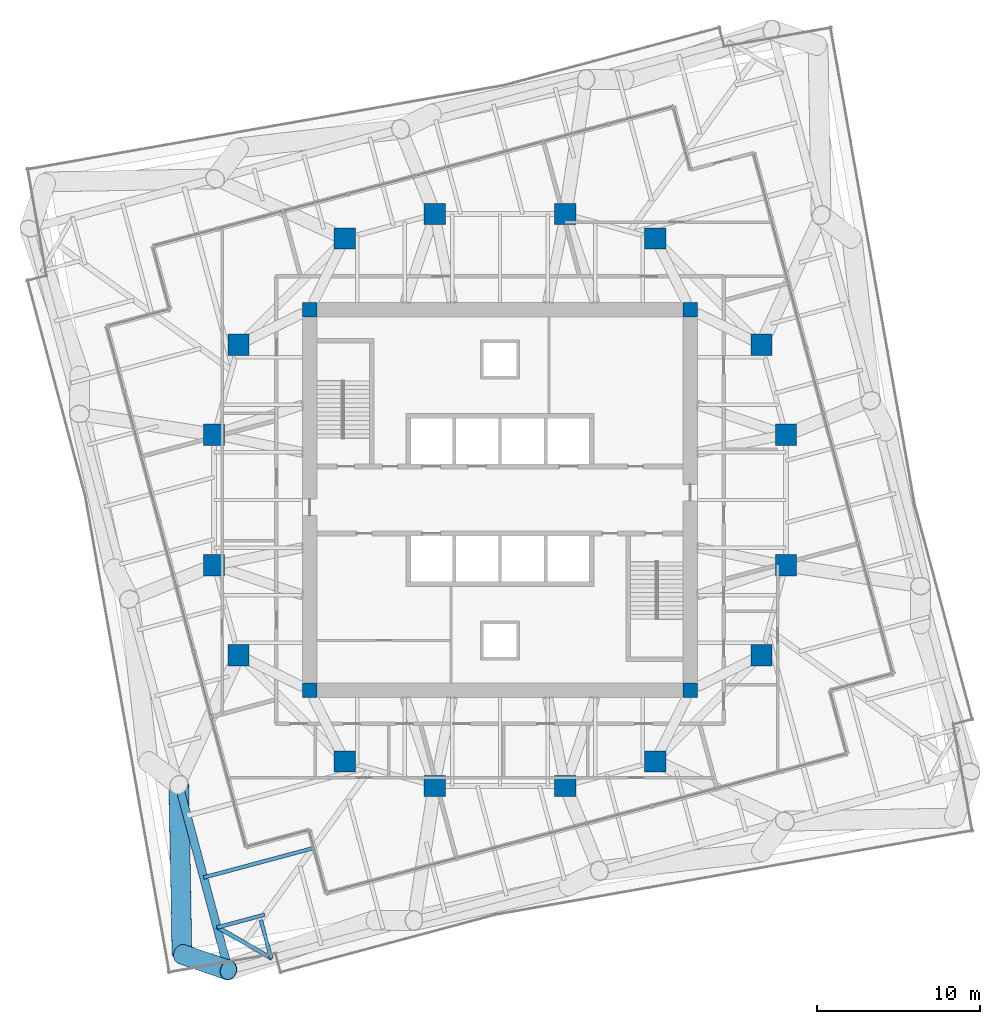
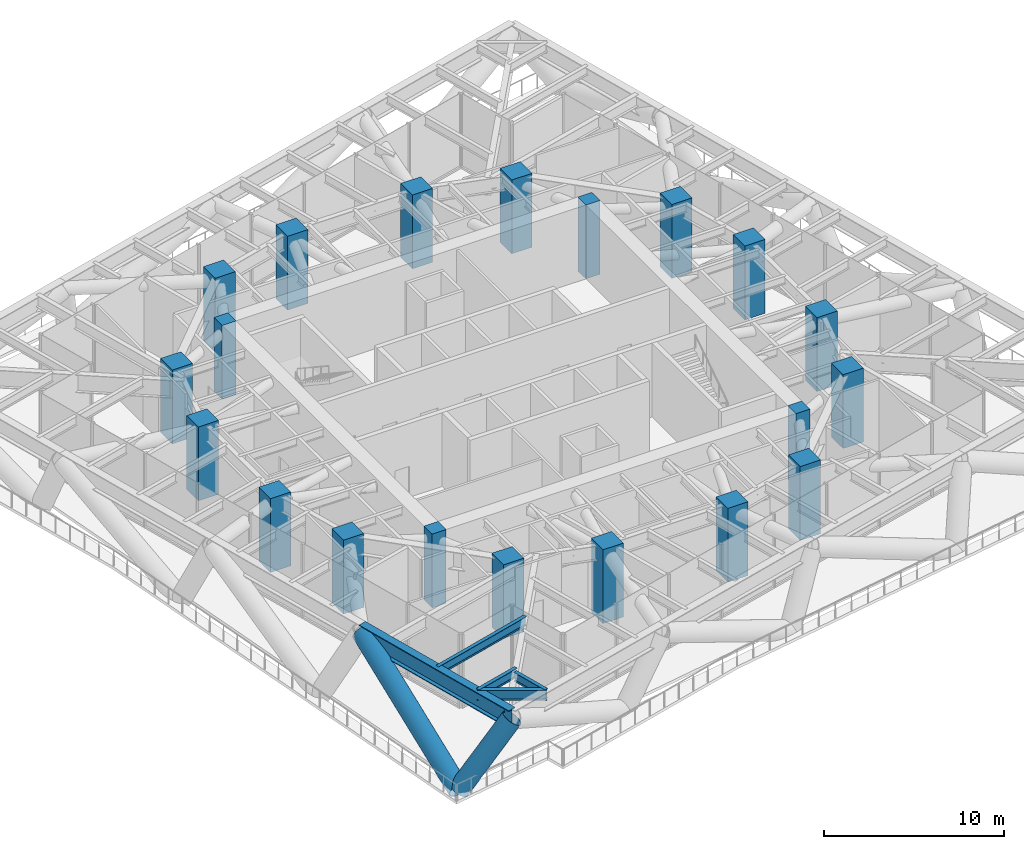
# One storey, part 1 of 14: 20 columns, 5 beams, 2 members.
"""IFC4 building model written with IfcOpenShell, lengths in metres."""

from ifc_helpers import new_model, si_unit, direction, frame, origin, origin_2d, place, context, subcontext, project, spatial, rectangle, hollow_circle, i_section, extrude, material, material_profile, profile_set, type_object, element, save


model = new_model("IFC4")

# Units and contexts
model_context = context("Model", 3, precision=1e-05, world=origin(), true_north=direction((0.0, 1.0)))
body_context = subcontext(model_context, "Body", "Model", "MODEL_VIEW")
ifc_project = project(units=[si_unit("LENGTHUNIT", "METRE"), si_unit("AREAUNIT", "SQUARE_METRE"), si_unit("VOLUMEUNIT", "CUBIC_METRE"), si_unit("PLANEANGLEUNIT", "RADIAN"), si_unit("MASSUNIT", "GRAM", prefix="KILO")], contexts=[model_context])

# Site, building, storey
site_placement = place(None, origin())
site = spatial("IfcSite", under=ifc_project, at=site_placement, CompositionType="ELEMENT")
building_placement = place(site_placement, origin())
building = spatial("IfcBuilding", under=site, at=building_placement, Name="Torsade Residences", CompositionType="ELEMENT")
storey_placement = place(building_placement, frame((0.0, 0.0, 106.60009765625)))
storey = spatial("IfcBuildingStorey", under=building, at=storey_placement, Name="L29", CompositionType="ELEMENT", Elevation=106.60009765625)

# Columns
ifc_material_1 = material(Name="Concrete 80 MPa", Category="concrete")
ifc_material_profile_1 = material_profile(ifc_material_1, rectangle(XDim=0.89990234375, YDim=0.89990234375, at=origin_2d()), Name="RC 900x900")
ifc_profile_set_1 = profile_set([ifc_material_profile_1], Name="Concrete 80 MPa")
column_type_1 = type_object("IfcColumnType", Name="CORE CORNER COLUMN RC 900x900", PredefinedType="COLUMN", material=ifc_profile_set_1)
for number, where, z_axis, x_axis, name in (
    (1, (28.35009765625, 18.35009765625, 0.0), (0.0, 0.0, 1.0), (1.0, 0.0, 0.0), "Core corner column CC1 L29"),
    (2, (51.64990234375, 18.35009765625, 0.0), (0.0, 0.0, 1.0), (1.0, 0.0, 0.0), "Core corner column CC2 L29"),
    (3, (51.64990234375, 41.64990234375, 0.0), (0.0, 0.0, 1.0), (1.0, 0.0, 0.0), "Core corner column CC3 L29"),
    (4, (28.35009765625, 41.64990234375, 0.0), (0.0, 0.0, 1.0), (1.0, 0.0, 0.0), "Core corner column CC4 L29"),
):
    element("IfcColumn", number, at=place(storey_placement, frame(where, z_axis=z_axis, x_axis=x_axis)), inside=storey, type_object=column_type_1, Name=name, PredefinedType="COLUMN", context=body_context, shape_type="SweptSolid", body=[
        extrude(rectangle(XDim=0.89990234375, YDim=0.89990234375, at=origin_2d()), origin(), (0.0, 0.0, 1.0), 5.0),
    ])
ifc_material_2 = material(Name="Concrete 80 MPa", Category="concrete")
ifc_material_profile_2 = material_profile(ifc_material_2, rectangle(XDim=1.300048828125, YDim=1.300048828125, at=origin_2d()), Name="RC 1300x1300")
ifc_profile_set_2 = profile_set([ifc_material_profile_2], Name="Concrete 80 MPa")
column_type_2 = type_object("IfcColumnType", Name="INNER RING COLUMN RC 1300x1300", PredefinedType="COLUMN", material=ifc_profile_set_2)
for number, where, z_axis, x_axis, name in (
    (5, (57.5, 26.0, 0.0), (0.0, 0.0, 1.0), (1.0, 0.0, 0.0), "Inner ring column IR01 L29"),
    (6, (57.5, 34.0, 0.0), (0.0, 0.0, 1.0), (1.0, 0.0, 0.0), "Inner ring column IR02 L29"),
    (7, (56.0, 39.5, 0.0), (0.0, 0.0, 1.0), (1.0, 0.0, 0.0), "Inner ring column IR03 L29"),
    (8, (49.5, 46.0, 0.0), (0.0, 0.0, 1.0), (1.0, 0.0, 0.0), "Inner ring column IR04 L29"),
    (9, (44.0, 47.5, 0.0), (0.0, 0.0, 1.0), (1.0, 0.0, 0.0), "Inner ring column IR05 L29"),
    (10, (36.0, 47.5, 0.0), (0.0, 0.0, 1.0), (1.0, 0.0, 0.0), "Inner ring column IR06 L29"),
    (11, (30.5, 46.0, 0.0), (0.0, 0.0, 1.0), (1.0, 0.0, 0.0), "Inner ring column IR07 L29"),
    (12, (24.0, 39.5, 0.0), (0.0, 0.0, 1.0), (1.0, 0.0, 0.0), "Inner ring column IR08 L29"),
    (13, (22.5, 34.0, 0.0), (0.0, 0.0, 1.0), (1.0, 0.0, 0.0), "Inner ring column IR09 L29"),
    (14, (22.5, 26.0, 0.0), (0.0, 0.0, 1.0), (1.0, 0.0, 0.0), "Inner ring column IR10 L29"),
    (15, (24.0, 20.5, 0.0), (0.0, 0.0, 1.0), (1.0, 0.0, 0.0), "Inner ring column IR11 L29"),
    (16, (30.5, 14.0, 0.0), (0.0, 0.0, 1.0), (1.0, 0.0, 0.0), "Inner ring column IR12 L29"),
    (17, (36.0, 12.5, 0.0), (0.0, 0.0, 1.0), (1.0, 0.0, 0.0), "Inner ring column IR13 L29"),
    (18, (44.0, 12.5, 0.0), (0.0, 0.0, 1.0), (1.0, 0.0, 0.0), "Inner ring column IR14 L29"),
    (19, (49.5, 14.0, 0.0), (0.0, 0.0, 1.0), (1.0, 0.0, 0.0), "Inner ring column IR15 L29"),
    (20, (56.0, 20.5, 0.0), (0.0, 0.0, 1.0), (1.0, 0.0, 0.0), "Inner ring column IR16 L29"),
):
    element("IfcColumn", number, at=place(storey_placement, frame(where, z_axis=z_axis, x_axis=x_axis)), inside=storey, type_object=column_type_2, Name=name, PredefinedType="COLUMN", context=body_context, shape_type="SweptSolid", body=[
        extrude(rectangle(XDim=1.300048828125, YDim=1.300048828125, at=origin_2d()), origin(), (0.0, 0.0, 1.0), 5.0),
    ])

# Beams
ifc_material_3 = material(Name="Steel grade 300", Category="steel")
ifc_material_profile_3 = material_profile(ifc_material_3, i_section(OverallWidth=0.25, OverallDepth=0.699951171875, WebThickness=0.010009765625, FlangeThickness=0.02001953125, at=origin_2d()), Name="700WB130")
ifc_profile_set_3 = profile_set([ifc_material_profile_3], Name="Steel grade 300")
beam_type_1 = type_object("IfcBeamType", Name="CORNER TRIMMER 700WB130", PredefinedType="BEAM", material=ifc_profile_set_3)
beam_1_placement = place(storey_placement, frame((26.039306640625, 1.93017578125, 4.5), z_axis=(-0.866028782848, 0.499994147244, 0.0), x_axis=(-0.499994147244, -0.866028782848, 0.0)))
element("IfcBeam", 21, at=beam_1_placement, inside=storey, type_object=beam_type_1, Name="Corner trimmer 01 L30", PredefinedType="BEAM", context=body_context, shape_type="SweptSolid", body=[
    extrude(i_section(OverallWidth=0.25, OverallDepth=0.699951171875, WebThickness=0.010009765625, FlangeThickness=0.02001953125, at=origin_2d()), origin(), (0.0, 0.0, 1.0), 3.88916015625),
])
ifc_material_4 = material(Name="Steel grade 300", Category="steel")
ifc_material_profile_4 = material_profile(ifc_material_4, i_section(OverallWidth=0.22900390625, OverallDepth=0.612060546875, WebThickness=0.011962890625, FlangeThickness=0.01953125, FilletRadius=0.013916015625, at=origin_2d()), Name="610UB125")
ifc_profile_set_4 = profile_set([ifc_material_profile_4], Name="Steel grade 300")
beam_type_2 = type_object("IfcBeamType", Name="SECONDARY BEAM 610UB125", PredefinedType="JOIST", material=ifc_profile_set_4)
beam_2_placement = place(storey_placement, frame((25.9990234375, 1.91943359375, 4.5439453125), z_axis=(-0.258787376889, 0.965934311205, 0.0), x_axis=(-0.965934311205, -0.258787376889, 0.0)))
element("IfcBeam", 22, at=beam_2_placement, inside=storey, type_object=beam_type_2, Name="Floor beam FS01 L30", PredefinedType="JOIST", context=body_context, shape_type="SweptSolid", body=[
    extrude(i_section(OverallWidth=0.22900390625, OverallDepth=0.612060546875, WebThickness=0.011962890625, FlangeThickness=0.01953125, FilletRadius=0.013916015625, at=origin_2d()), origin(), (0.0, 0.0, 1.0), 2.45849609375),
])
beam_3_placement = place(storey_placement, frame((21.862548828125, 6.893310546875, 4.5439453125), z_axis=(0.965924718252, 0.258823180318, 0.0), x_axis=(-0.258823180318, 0.965924718252, 0.0)))
element("IfcBeam", 23, at=beam_3_placement, inside=storey, type_object=beam_type_2, Name="Floor beam FW11 L30", PredefinedType="JOIST", context=body_context, shape_type="SweptSolid", body=[
    extrude(i_section(OverallWidth=0.22900390625, OverallDepth=0.612060546875, WebThickness=0.011962890625, FlangeThickness=0.01953125, FilletRadius=0.013916015625, at=origin_2d()), origin(), (0.0, 0.0, 1.0), 6.912353515625),
])
beam_4_placement = place(storey_placement, frame((22.68212890625, 3.83447265625, 4.5439453125), z_axis=(0.965923839014, 0.258826461598, 0.0), x_axis=(-0.258826461598, 0.965923839014, 0.0)))
element("IfcBeam", 24, at=beam_4_placement, inside=storey, type_object=beam_type_2, Name="Floor beam FW12 L30", PredefinedType="JOIST", context=body_context, shape_type="SweptSolid", body=[
    extrude(i_section(OverallWidth=0.22900390625, OverallDepth=0.612060546875, WebThickness=0.011962890625, FlangeThickness=0.01953125, FilletRadius=0.013916015625, at=origin_2d()), origin(), (0.0, 0.0, 1.0), 3.015625),
])
ifc_material_5 = material(Name="Steel grade 350", Category="steel")
ifc_material_profile_5 = material_profile(ifc_material_5, i_section(OverallWidth=0.5, OverallDepth=1.199951171875, WebThickness=0.031982421875, FlangeThickness=0.050048828125, at=origin_2d()), Name="1200x500x50x32WPG")
ifc_profile_set_5 = profile_set([ifc_material_profile_5], Name="Steel grade 350")
beam_type_3 = type_object("IfcBeamType", Name="TRANSFER TRUSS CHORD 1200x500x50x32WPG", PredefinedType="USERDEFINED", material=ifc_profile_set_5)
beam_5_placement = place(storey_placement, frame((20.341796875, 12.568115234375, 4.25), z_axis=(0.258830249097, -0.965922824118, 0.0), x_axis=(0.965922824118, 0.258830249097, 0.0)))
element("IfcBeam", 25, at=beam_5_placement, inside=storey, type_object=beam_type_3, Name="Transfer truss TT3 top chord 16", ObjectType="TRANSFER TRUSS CHORD", PredefinedType="USERDEFINED", context=body_context, shape_type="SweptSolid", body=[
    extrude(i_section(OverallWidth=0.5, OverallDepth=1.199951171875, WebThickness=0.031982421875, FlangeThickness=0.050048828125, at=origin_2d()), origin(), (0.0, 0.0, 1.0), 11.75),
])

# Members
ifc_material_6 = material(Name="Steel grade 450", Category="steel")
ifc_material_profile_6 = material_profile(ifc_material_6, hollow_circle(Radius=0.609619140625, WallThickness=0.0400390625, at=origin_2d()), Name="1219.0x40.0CHS")
ifc_profile_set_6 = profile_set([ifc_material_profile_6], Name="Steel grade 450")
member_type_1 = type_object("IfcMemberType", Name="TRANSFER TRUSS DIAGONAL 1219.0x40.0CHS", PredefinedType="BRACE", material=ifc_profile_set_6)
member_1_placement = place(storey_placement, frame((20.5322265625, 2.197021484375, -0.2001953125), z_axis=(-0.016871348321, 0.918839585468, 0.394270432296), x_axis=(-0.999831468768, -0.018358487421, 0.0)))
element("IfcMember", 26, at=member_1_placement, inside=storey, type_object=member_type_1, Name="Transfer truss TT3 diagonal 16", PredefinedType="BRACE", context=body_context, shape_type="SweptSolid", body=[
    extrude(hollow_circle(Radius=0.609619140625, WallThickness=0.0400390625, at=origin_2d()), origin(), (0.0, 0.0, 1.0), 11.287109375),
])
ifc_material_7 = material(Name="Steel grade 450", Category="steel")
ifc_material_profile_7 = material_profile(ifc_material_7, hollow_circle(Radius=0.609619140625, WallThickness=0.031982421875, at=origin_2d()), Name="1219.0x32.0CHS")
ifc_profile_set_7 = profile_set([ifc_material_profile_7], Name="Steel grade 450")
member_type_2 = type_object("IfcMemberType", Name="TRANSFER TRUSS RAKING STRUT 1219.0x32.0CHS", PredefinedType="STRUT", material=ifc_profile_set_7)
member_2_placement = place(storey_placement, frame((20.5322265625, 2.197021484375, -0.2001953125), z_axis=(0.530402245217, -0.182054654349, 0.827967125615), x_axis=(0.324647358096, 0.945835129862, 0.0)))
element("IfcMember", 27, at=member_2_placement, inside=storey, type_object=member_type_2, Name="Transfer truss TT3 raking strut 01", PredefinedType="STRUT", context=body_context, shape_type="SweptSolid", body=[
    extrude(hollow_circle(Radius=0.609619140625, WallThickness=0.031982421875, at=origin_2d()), origin(), (0.0, 0.0, 1.0), 5.374755859375),
])

save(model, "model.ifc")
